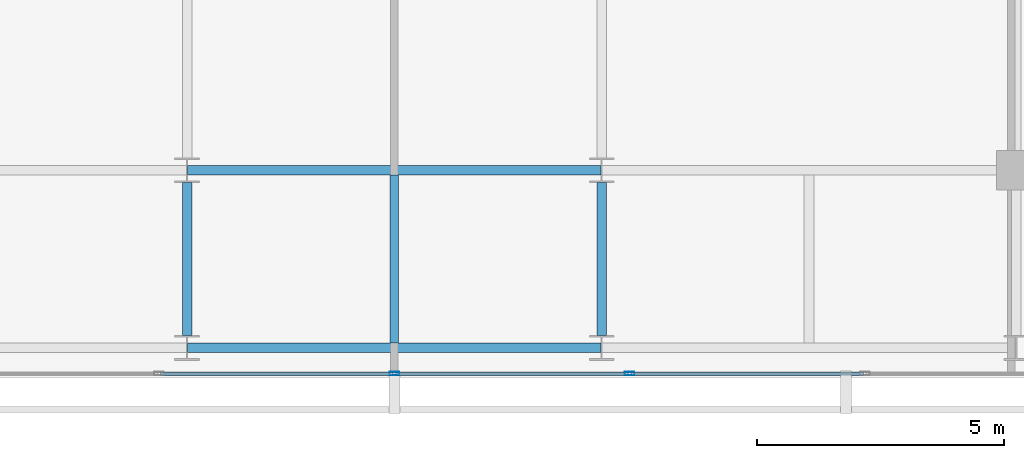
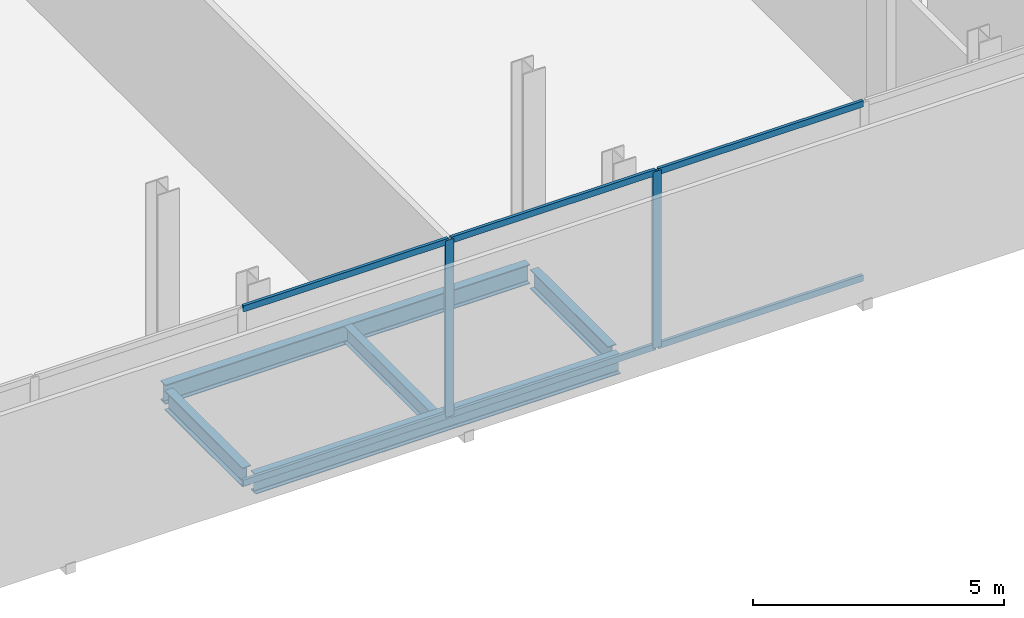
# One storey, part 4 of 23: 8 members, 5 beams, 1 element without a shape of its own.
"""IFC4 building model written with IfcOpenShell, lengths in metres."""

from ifc_helpers import new_model, si_unit, direction, frame, origin, origin_2d, place, context, subcontext, project, spatial, hollow_rectangle, i_section, extrude, material, layer, layer_set, material_profile, profile_set, type_object, element, aggregate, save


model = new_model("IFC4")

# Units and contexts
model_context = context("Model", 3, precision=1e-05, world=origin(), true_north=direction((0.0, 1.0)))
body_context = subcontext(model_context, "Body", "Model", "MODEL_VIEW")
ifc_project = project(units=[si_unit("LENGTHUNIT", "METRE"), si_unit("AREAUNIT", "SQUARE_METRE"), si_unit("VOLUMEUNIT", "CUBIC_METRE"), si_unit("PLANEANGLEUNIT", "RADIAN"), si_unit("MASSUNIT", "GRAM", prefix="KILO")], contexts=[model_context])

# Site, building, storey
site_placement = place(None, origin())
site = spatial("IfcSite", under=ifc_project, at=site_placement, CompositionType="ELEMENT")
building_placement = place(site_placement, origin())
building = spatial("IfcBuilding", under=site, at=building_placement, Name="Maruvema Waterfront Hotel and Observation Tower", CompositionType="ELEMENT")
storey_placement = place(building_placement, frame((0.0, 0.0, 349.64990234375)))
storey = spatial("IfcBuildingStorey", under=building, at=storey_placement, Name="L86", CompositionType="ELEMENT", Elevation=349.64990234375)

# Curtain wall, members
ifc_material_1 = material(Name="Anodised bronze aluminium and solar-control low-E IGU", Category="aluminium")
ifc_layer = layer(ifc_material_1, 0.159912109375, Name="Observation Crown Structural Glazed Curtain Wall System CW-06")
ifc_layer_set = layer_set([ifc_layer], Name="Anodised bronze aluminium and solar-control low-E IGU")
curtain_wall_type = type_object("IfcCurtainWallType", Name="Observation Crown Structural Glazed Curtain Wall System CW-06", PredefinedType="USERDEFINED", material=ifc_layer_set)
curtain_wall_placement = place(storey_placement, origin())
curtain_wall = element("IfcCurtainWall", 1, at=curtain_wall_placement, inside=storey, type_object=curtain_wall_type, Name="L86 Curtain Wall CW-L86-S", ObjectType="UNITISED CURTAIN WALL", PredefinedType="USERDEFINED")
ifc_material_2 = material(Name="Anodised architectural bronze aluminium", Category="aluminium")
ifc_material_profile_1 = material_profile(ifc_material_2, hollow_rectangle(XDim=0.070068359375, YDim=0.14990234375, WallThickness=0.00390625, at=origin_2d()), Name="ALU-T70x150")
ifc_profile_set_1 = profile_set([ifc_material_profile_1], Name="Anodised architectural bronze aluminium")
member_type_1 = type_object("IfcMemberType", Name="Curtain Wall Horizontal Transom ALU-T70x150", PredefinedType="USERDEFINED", material=ifc_profile_set_1)
member_1_placement = place(storey_placement, frame((33.063232421875, 13.8798828125, 0.030029296875), z_axis=(1.0, 0.0, 0.0), x_axis=(0.0, 1.0, 0.0)))
member_1 = element("IfcMember", 2, at=member_1_placement, type_object=member_type_1, Name="CW-06 transom 3.1", ObjectType="TRANSOM", PredefinedType="USERDEFINED", context=body_context, shape_type="SweptSolid", body=[
    extrude(hollow_rectangle(XDim=0.070068359375, YDim=0.14990234375, WallThickness=0.00390625, at=origin_2d()), origin(), (0.0, 0.0, 1.0), 4.706787109375),
])
member_2_placement = place(storey_placement, frame((33.063232421875, 13.8798828125, 4.260009765625), z_axis=(1.0, 0.0, 0.0), x_axis=(0.0, 1.0, 0.0)))
member_2 = element("IfcMember", 3, at=member_2_placement, type_object=member_type_1, Name="CW-06 transom 3.2", ObjectType="TRANSOM", PredefinedType="USERDEFINED", context=body_context, shape_type="SweptSolid", body=[
    extrude(hollow_rectangle(XDim=0.070068359375, YDim=0.14990234375, WallThickness=0.00390625, at=origin_2d()), origin(), (0.0, 0.0, 1.0), 4.706787109375),
])
member_3_placement = place(storey_placement, frame((37.830078125, 13.8798828125, 0.030029296875), z_axis=(1.0, 0.0, 0.0), x_axis=(0.0, 1.0, 0.0)))
member_3 = element("IfcMember", 4, at=member_3_placement, type_object=member_type_1, Name="CW-06 transom 4.1", ObjectType="TRANSOM", PredefinedType="USERDEFINED", context=body_context, shape_type="SweptSolid", body=[
    extrude(hollow_rectangle(XDim=0.070068359375, YDim=0.14990234375, WallThickness=0.00390625, at=origin_2d()), origin(), (0.0, 0.0, 1.0), 4.70654296875),
])
member_4_placement = place(storey_placement, frame((37.830078125, 13.8798828125, 4.260009765625), z_axis=(1.0, 0.0, 0.0), x_axis=(0.0, 1.0, 0.0)))
member_4 = element("IfcMember", 5, at=member_4_placement, type_object=member_type_1, Name="CW-06 transom 4.2", ObjectType="TRANSOM", PredefinedType="USERDEFINED", context=body_context, shape_type="SweptSolid", body=[
    extrude(hollow_rectangle(XDim=0.070068359375, YDim=0.14990234375, WallThickness=0.00390625, at=origin_2d()), origin(), (0.0, 0.0, 1.0), 4.70654296875),
])
member_5_placement = place(storey_placement, frame((42.5966796875, 13.8798828125, 0.030029296875), z_axis=(1.0, 0.0, 0.0), x_axis=(0.0, 1.0, 0.0)))
member_5 = element("IfcMember", 6, at=member_5_placement, type_object=member_type_1, Name="CW-06 transom 5.1", ObjectType="TRANSOM", PredefinedType="USERDEFINED", context=body_context, shape_type="SweptSolid", body=[
    extrude(hollow_rectangle(XDim=0.070068359375, YDim=0.14990234375, WallThickness=0.00390625, at=origin_2d()), origin(), (0.0, 0.0, 1.0), 4.70654296875),
])
member_6_placement = place(storey_placement, frame((42.5966796875, 13.8798828125, 4.260009765625), z_axis=(1.0, 0.0, 0.0), x_axis=(0.0, 1.0, 0.0)))
member_6 = element("IfcMember", 7, at=member_6_placement, type_object=member_type_1, Name="CW-06 transom 5.2", ObjectType="TRANSOM", PredefinedType="USERDEFINED", context=body_context, shape_type="SweptSolid", body=[
    extrude(hollow_rectangle(XDim=0.070068359375, YDim=0.14990234375, WallThickness=0.00390625, at=origin_2d()), origin(), (0.0, 0.0, 1.0), 4.70654296875),
])
ifc_material_3 = material(Name="Anodised architectural bronze aluminium", Category="aluminium")
ifc_material_profile_2 = material_profile(ifc_material_3, hollow_rectangle(XDim=0.070068359375, YDim=0.18994140625, WallThickness=0.00390625, at=origin_2d()), Name="ALU-M70x190")
ifc_profile_set_2 = profile_set([ifc_material_profile_2], Name="Anodised architectural bronze aluminium")
member_type_2 = type_object("IfcMemberType", Name="Podium Storefront Heavy Mullion ALU-M70x190", PredefinedType="MULLION", material=ifc_profile_set_2)
member_7_placement = place(storey_placement, frame((37.800048828125, 13.8798828125, 0.0), z_axis=(0.0, 0.0, 1.0), x_axis=(0.0, 1.0, 0.0)))
member_7 = element("IfcMember", 8, at=member_7_placement, type_object=member_type_2, Name="CW-06 mullion 4", PredefinedType="MULLION", context=body_context, shape_type="SweptSolid", body=[
    extrude(hollow_rectangle(XDim=0.070068359375, YDim=0.18994140625, WallThickness=0.00390625, at=origin_2d()), origin(), (0.0, 0.0, 1.0), 4.2900390625),
])
member_8_placement = place(storey_placement, frame((42.566650390625, 13.8798828125, 0.0), z_axis=(0.0, 0.0, 1.0), x_axis=(0.0, 1.0, 0.0)))
member_8 = element("IfcMember", 9, at=member_8_placement, type_object=member_type_2, Name="CW-06 mullion 5", PredefinedType="MULLION", context=body_context, shape_type="SweptSolid", body=[
    extrude(hollow_rectangle(XDim=0.070068359375, YDim=0.18994140625, WallThickness=0.00390625, at=origin_2d()), origin(), (0.0, 0.0, 1.0), 4.2900390625),
])
aggregate(curtain_wall, [member_7, member_8, member_1, member_2, member_3, member_4, member_5, member_6])

# Beams
ifc_material_4 = material(Name="Steel ASTM A572 Grade 50", Category="steel")
ifc_material_profile_3 = material_profile(ifc_material_4, i_section(OverallWidth=0.194091796875, OverallDepth=0.468994140625, WebThickness=0.0126953125, FlangeThickness=0.0205078125, FilletRadius=0.014892578125, at=origin_2d()), Name="W460x106.0")
ifc_profile_set_3 = profile_set([ifc_material_profile_3], Name="Steel ASTM A572 Grade 50")
beam_type_1 = type_object("IfcBeamType", Name="Primary Floor Girder W460x106.0", PredefinedType="BEAM", material=ifc_profile_set_3)
for number, where, z_axis, x_axis, name in (
    (10, (33.611083984375, 14.39990234375, -0.474365234375), (1.0, 0.0, 0.0), (0.0, 1.0, 0.0), "L86 Floor Girder EW-02"),
    (11, (33.611083984375, 18.0, -0.474365234375), (1.0, 0.0, 0.0), (0.0, 1.0, 0.0), "L86 Floor Girder EW-05"),
):
    element("IfcBeam", number, at=place(storey_placement, frame(where, z_axis=z_axis, x_axis=x_axis)), inside=storey, type_object=beam_type_1, Name=name, PredefinedType="BEAM", context=body_context, shape_type="SweptSolid", body=[
        extrude(i_section(OverallWidth=0.194091796875, OverallDepth=0.468994140625, WebThickness=0.0126953125, FlangeThickness=0.0205078125, FilletRadius=0.014892578125, at=origin_2d()), origin(), (0.0, 0.0, 1.0), 8.3779296875),
    ])
for number, where, z_axis, x_axis, name in (
    (12, (33.60009765625, 14.64990234375, -0.474365234375), (0.0, 1.0, 0.0), (-1.0, 0.0, 0.0), "L86 Floor Girder NS-07"),
    (13, (42.0, 14.64990234375, -0.474365234375), (0.0, 1.0, 0.0), (-1.0, 0.0, 0.0), "L86 Floor Girder NS-09"),
):
    element("IfcBeam", number, at=place(storey_placement, frame(where, z_axis=z_axis, x_axis=x_axis)), inside=storey, type_object=beam_type_1, Name=name, PredefinedType="BEAM", context=body_context, shape_type="SweptSolid", body=[
        extrude(i_section(OverallWidth=0.194091796875, OverallDepth=0.468994140625, WebThickness=0.0126953125, FlangeThickness=0.0205078125, FilletRadius=0.014892578125, at=origin_2d()), origin(), (0.0, 0.0, 1.0), 3.10009765625),
    ])
ifc_material_5 = material(Name="Steel ASTM A572 Grade 50", Category="steel")
ifc_material_profile_4 = material_profile(ifc_material_5, i_section(OverallWidth=0.177001953125, OverallDepth=0.403076171875, WebThickness=0.007568359375, FlangeThickness=0.010986328125, FilletRadius=0.014892578125, at=origin_2d()), Name="W410x53.0")
ifc_profile_set_4 = profile_set([ifc_material_profile_4], Name="Steel ASTM A572 Grade 50")
beam_type_2 = type_object("IfcBeamType", Name="Secondary Floor Joist W410x53.0", PredefinedType="JOIST", material=ifc_profile_set_4)
beam_placement = place(storey_placement, frame((37.800048828125, 14.4970703125, -0.44140625), z_axis=(0.0, 1.0, 0.0), x_axis=(-1.0, 0.0, 0.0)))
element("IfcBeam", 14, at=beam_placement, inside=storey, type_object=beam_type_2, Name="L86 Secondary Floor Joist JS-04", PredefinedType="JOIST", context=body_context, shape_type="SweptSolid", body=[
    extrude(i_section(OverallWidth=0.177001953125, OverallDepth=0.403076171875, WebThickness=0.007568359375, FlangeThickness=0.010986328125, FilletRadius=0.014892578125, at=origin_2d()), origin(), (0.0, 0.0, 1.0), 3.406005859375),
])

save(model, "model.ifc")
